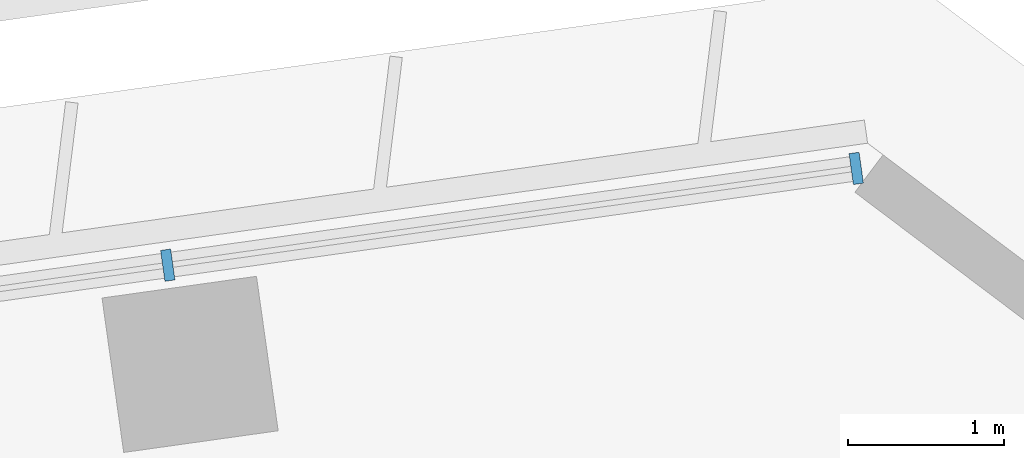
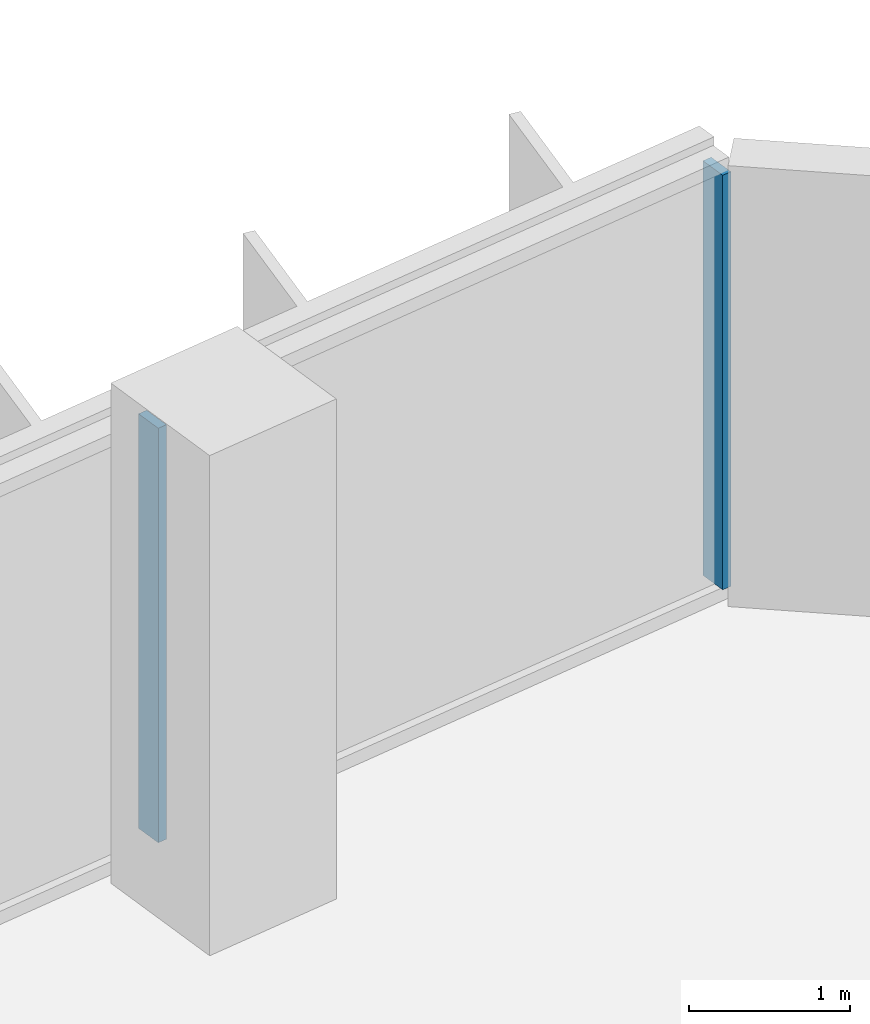
# One storey, part 35 of 49: 2 members, 1 element without a shape of its own.
"""IFC4 building model written with IfcOpenShell, lengths in metres."""

from ifc_helpers import new_model, si_unit, direction, frame, origin, origin_2d, place, context, subcontext, project, spatial, rectangle, extrude, material, material_profile, profile_set, type_object, element, aggregate, save


model = new_model("IFC4")

# Units and contexts
model_context = context("Model", 3, precision=1e-05, world=origin(), true_north=direction((0.0, 1.0)))
body_context = subcontext(model_context, "Body", "Model", "MODEL_VIEW")
ifc_project = project(units=[si_unit("LENGTHUNIT", "METRE"), si_unit("AREAUNIT", "SQUARE_METRE"), si_unit("VOLUMEUNIT", "CUBIC_METRE"), si_unit("PLANEANGLEUNIT", "RADIAN"), si_unit("MASSUNIT", "GRAM", prefix="KILO")], contexts=[model_context])

# Site, building, storey
site_placement = place(None, origin())
site = spatial("IfcSite", under=ifc_project, at=site_placement, CompositionType="ELEMENT")
building_placement = place(site_placement, origin())
building = spatial("IfcBuilding", under=site, at=building_placement, Name="Mirante Cascada Hotel Towers", CompositionType="ELEMENT")
storey_placement = place(building_placement, frame((0.0, 0.0, 66.1)))
storey = spatial("IfcBuildingStorey", under=building, at=storey_placement, Name="L13", CompositionType="ELEMENT", Elevation=66.1)

# Curtain wall, members
ifc_material_1 = material(Name="Aluminium mullion and transom frame with clear laminated glass", Category="aluminium")
curtain_wall_type = type_object("IfcCurtainWallType", Name="Ribbon curtain wall ECW1", PredefinedType="NOTDEFINED", material=ifc_material_1)
curtain_wall_placement = place(storey_placement, origin())
curtain_wall = element("IfcCurtainWall", 1, at=curtain_wall_placement, inside=storey, type_object=curtain_wall_type, Name="Front ribbon wall T2 L13", PredefinedType="NOTDEFINED")
ifc_material_2 = material(Name="Anodised aluminium extrusion", Category="aluminium")
ifc_material_profile = material_profile(ifc_material_2, rectangle(XDim=0.2, YDim=0.065, at=origin_2d()), Name="ECW1 MULLION 65x200")
ifc_profile_set = profile_set([ifc_material_profile], Name="Anodised aluminium extrusion")
member_type = type_object("IfcMemberType", Name="ECW1 mullion 65x200", PredefinedType="MULLION", material=ifc_profile_set)
member_1_placement = place(storey_placement, frame((94.126, 26.0476, 0.1), z_axis=(0.0, 0.0, 1.0), x_axis=(0.1391731, -0.9902681, 0.0)))
member_1 = element("IfcMember", 2, at=member_1_placement, type_object=member_type, Name="ECW1 mullion 1", PredefinedType="MULLION", context=body_context, shape_type="SweptSolid", body=[
    extrude(rectangle(XDim=0.2, YDim=0.065, at=origin_2d()), origin(), (0.0, 0.0, 1.0), 3.15),
])
member_2_placement = place(storey_placement, frame((89.7107, 25.427, 0.1), z_axis=(0.0, 0.0, 1.0), x_axis=(0.1391731, -0.9902681, 0.0)))
member_2 = element("IfcMember", 3, at=member_2_placement, type_object=member_type, Name="ECW1 mullion 2", PredefinedType="MULLION", context=body_context, shape_type="SweptSolid", body=[
    extrude(rectangle(XDim=0.2, YDim=0.065, at=origin_2d()), origin(), (0.0, 0.0, 1.0), 3.15),
])
aggregate(curtain_wall, [member_1, member_2])

save(model, "model.ifc")
